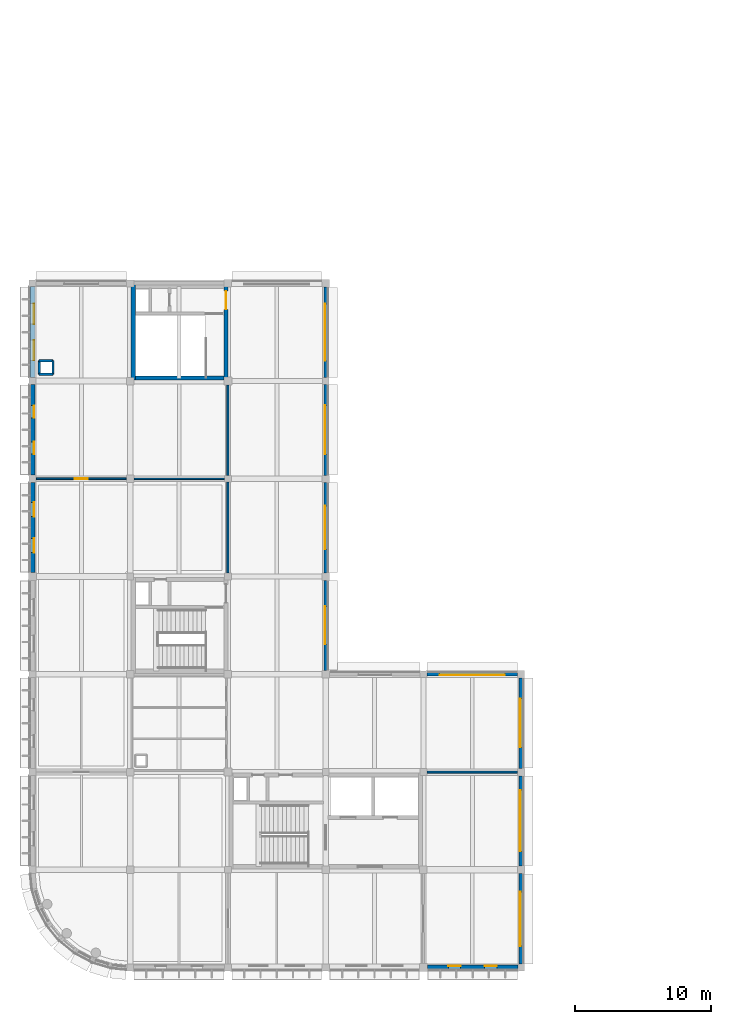
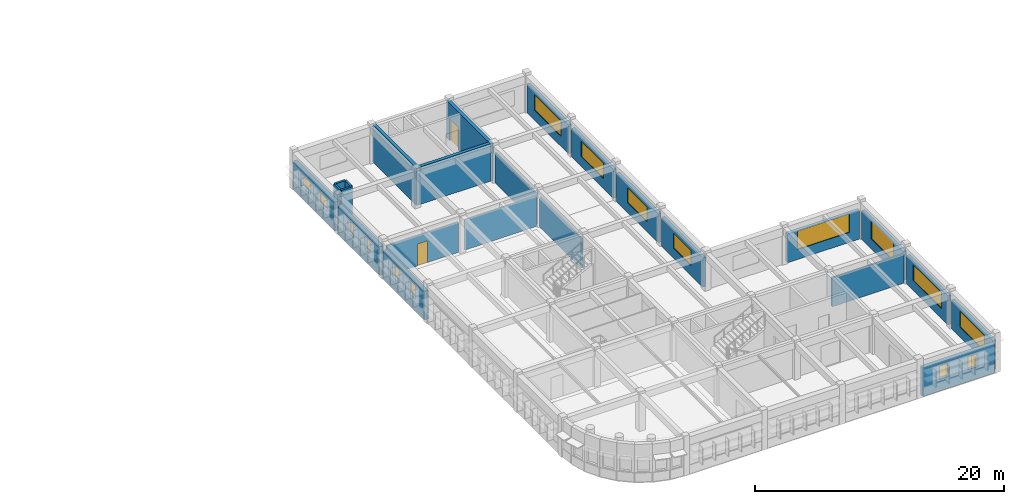
# One storey, part 14 of 19: 24 walls, 16 windows, 2 doors, 18 openings.
"""IFC4 building model written with IfcOpenShell, lengths in metres."""

from ifc_helpers import new_model, si_unit, direction, frame, frame_2d, origin, place, context, subcontext, project, spatial, rectangle, extrude, material, layer, layer_set, type_object, element, fill, save


model = new_model("IFC4")

# Units and contexts
model_context = context("Model", 3, precision=1e-05, world=origin(), true_north=direction((0.0, 1.0)))
body_context = subcontext(model_context, "Body", "Model", "MODEL_VIEW")
ifc_project = project(units=[si_unit("LENGTHUNIT", "METRE"), si_unit("AREAUNIT", "SQUARE_METRE"), si_unit("VOLUMEUNIT", "CUBIC_METRE"), si_unit("PLANEANGLEUNIT", "RADIAN"), si_unit("MASSUNIT", "GRAM", prefix="KILO")], contexts=[model_context])

# Site, building, storey
site_placement = place(None, origin())
site = spatial("IfcSite", under=ifc_project, at=site_placement, CompositionType="ELEMENT")
building_placement = place(site_placement, origin())
building = spatial("IfcBuilding", under=site, at=building_placement, Name="Thalmaran Polytechnic", CompositionType="ELEMENT")
storey_placement = place(building_placement, frame((0.0, 0.0, 26.699951171875)))
storey = spatial("IfcBuildingStorey", under=building, at=storey_placement, Name="L06", CompositionType="ELEMENT", Elevation=26.699951171875)

# Wall, openings, windows
ifc_material_1 = material(Name="Precast concrete C40/50", Category="concrete")
ifc_layer_1 = layer(ifc_material_1, 0.360107421875, Name="Precast concrete C40/50")
ifc_layer_set_1 = layer_set([ifc_layer_1], Name="Precast concrete C40/50")
wall_type_1 = type_object("IfcWallType", Name="WL-EW01", PredefinedType="STANDARD", material=ifc_layer_set_1)
wall_1_placement = place(storey_placement, frame((0.0, 29.090087890625, 0.0), z_axis=(0.0, 0.0, 1.0), x_axis=(0.0, 1.0, 0.0)))
wall_1 = element("IfcWall", 1, at=wall_1_placement, inside=storey, type_object=wall_type_1, Name="Exterior Precast Facade Wall L06-008", PredefinedType="STANDARD", context=body_context, shape_type="SweptSolid", body=[
    extrude(rectangle(XDim=6.635009765625, YDim=0.360107421875, at=frame_2d((3.3173828125, 0.0))), origin(), (0.0, 0.0, 1.0), 2.830078125),
])
opening_1_placement = place(wall_1_placement, frame((1.465576171875, 0.0, 1.14990234375)))
opening_1 = element("IfcOpeningElement", 2, at=opening_1_placement, cuts=wall_1, Name="Opening PW12", PredefinedType="OPENING", context=body_context, shape_type="SweptSolid", body=[
    extrude(rectangle(XDim=1.050048828125, YDim=1.35009765625, at=frame_2d((0.52490234375, 0.675048828125))), frame((0.0, 0.18994140625, 0.0), z_axis=(0.0, -1.0, 0.0), x_axis=(1.0, 0.0, 0.0)), (0.0, 0.0, 1.0), 0.380126953125),
])
opening_2_placement = place(wall_1_placement, frame((4.119384765625, 0.0, 1.14990234375)))
opening_2 = element("IfcOpeningElement", 3, at=opening_2_placement, cuts=wall_1, Name="Opening PW12", PredefinedType="OPENING", context=body_context, shape_type="SweptSolid", body=[
    extrude(rectangle(XDim=1.050048828125, YDim=1.35009765625, at=frame_2d((0.52490234375, 0.675048828125))), frame((0.0, 0.18994140625, 0.0), z_axis=(0.0, -1.0, 0.0), x_axis=(1.0, 0.0, 0.0)), (0.0, 0.0, 1.0), 0.380126953125),
])
ifc_material_2 = material(Name="Thermally broken aluminium and double low-E glass", Category="aluminium")
window_type_1 = type_object("IfcWindowType", Name="WN-PW02", PartitioningType="SINGLE_PANEL", PredefinedType="WINDOW", material=ifc_material_2)
window_1_placement = place(opening_1_placement, origin())
window_1 = element("IfcWindow", 4, at=window_1_placement, inside=storey, type_object=window_type_1, Name="Deep-Set Solar-Screened Window W-0735", OverallHeight=1.35009765625, OverallWidth=1.050048828125, PartitioningType="SINGLE_PANEL", PredefinedType="WINDOW", context=body_context, shape_type="SweptSolid", body=[
    extrude(rectangle(XDim=1.050048828125, YDim=1.35009765625, at=frame_2d((0.52490234375, 0.675048828125))), frame((0.0, -0.080078125, 0.0), z_axis=(0.0, -1.0, 0.0), x_axis=(1.0, 0.0, 0.0)), (0.0, 0.0, 1.0), 0.06005859375),
])
fill(opening_1, window_1)
window_2_placement = place(opening_2_placement, origin())
window_2 = element("IfcWindow", 5, at=window_2_placement, inside=storey, type_object=window_type_1, Name="Deep-Set Solar-Screened Window W-0736", OverallHeight=1.35009765625, OverallWidth=1.050048828125, PartitioningType="SINGLE_PANEL", PredefinedType="WINDOW", context=body_context, shape_type="SweptSolid", body=[
    extrude(rectangle(XDim=1.050048828125, YDim=1.35009765625, at=frame_2d((0.52490234375, 0.675048828125))), frame((0.0, -0.080078125, 0.0), z_axis=(0.0, -1.0, 0.0), x_axis=(1.0, 0.0, 0.0)), (0.0, 0.0, 1.0), 0.06005859375),
])
fill(opening_2, window_2)

wall_2_placement = place(storey_placement, frame((0.0, 36.27490234375, 0.0), z_axis=(0.0, 0.0, 1.0), x_axis=(0.0, 1.0, 0.0)))
wall_2 = element("IfcWall", 6, at=wall_2_placement, inside=storey, type_object=wall_type_1, Name="Exterior Precast Facade Wall L06-009", PredefinedType="STANDARD", context=body_context, shape_type="SweptSolid", body=[
    extrude(rectangle(XDim=6.6650390625, YDim=0.360107421875, at=frame_2d((3.33251953125, 0.0))), origin(), (0.0, 0.0, 1.0), 2.830078125),
])
opening_3_placement = place(wall_2_placement, frame((1.549560546875, 0.0, 1.14990234375)))
opening_3 = element("IfcOpeningElement", 7, at=opening_3_placement, cuts=wall_2, Name="Opening PW13", PredefinedType="OPENING", context=body_context, shape_type="SweptSolid", body=[
    extrude(rectangle(XDim=0.89990234375, YDim=1.300048828125, at=frame_2d((0.449951171875, 0.64990234375))), frame((0.0, 0.18994140625, 0.0), z_axis=(0.0, -1.0, 0.0), x_axis=(1.0, 0.0, 0.0)), (0.0, 0.0, 1.0), 0.380126953125),
])
opening_4_placement = place(wall_2_placement, frame((4.215576171875, 0.0, 1.14990234375)))
opening_4 = element("IfcOpeningElement", 8, at=opening_4_placement, cuts=wall_2, Name="Opening PW13", PredefinedType="OPENING", context=body_context, shape_type="SweptSolid", body=[
    extrude(rectangle(XDim=0.89990234375, YDim=1.300048828125, at=frame_2d((0.449951171875, 0.64990234375))), frame((0.0, 0.18994140625, 0.0), z_axis=(0.0, -1.0, 0.0), x_axis=(1.0, 0.0, 0.0)), (0.0, 0.0, 1.0), 0.380126953125),
])
window_type_2 = type_object("IfcWindowType", Name="WN-PW03", PartitioningType="SINGLE_PANEL", PredefinedType="WINDOW", material=ifc_material_2)
window_3_placement = place(opening_3_placement, origin())
window_3 = element("IfcWindow", 9, at=window_3_placement, inside=storey, type_object=window_type_2, Name="Deep-Set Solar-Screened Window W-0737", OverallHeight=1.300048828125, OverallWidth=0.89990234375, PartitioningType="SINGLE_PANEL", PredefinedType="WINDOW", context=body_context, shape_type="SweptSolid", body=[
    extrude(rectangle(XDim=0.89990234375, YDim=1.300048828125, at=frame_2d((0.449951171875, 0.64990234375))), frame((0.0, -0.080078125, 0.0), z_axis=(0.0, -1.0, 0.0), x_axis=(1.0, 0.0, 0.0)), (0.0, 0.0, 1.0), 0.06005859375),
])
fill(opening_3, window_3)
window_4_placement = place(opening_4_placement, origin())
window_4 = element("IfcWindow", 10, at=window_4_placement, inside=storey, type_object=window_type_2, Name="Deep-Set Solar-Screened Window W-0738", OverallHeight=1.300048828125, OverallWidth=0.89990234375, PartitioningType="SINGLE_PANEL", PredefinedType="WINDOW", context=body_context, shape_type="SweptSolid", body=[
    extrude(rectangle(XDim=0.89990234375, YDim=1.300048828125, at=frame_2d((0.449951171875, 0.64990234375))), frame((0.0, -0.080078125, 0.0), z_axis=(0.0, -1.0, 0.0), x_axis=(1.0, 0.0, 0.0)), (0.0, 0.0, 1.0), 0.06005859375),
])
fill(opening_4, window_4)

wall_3_placement = place(storey_placement, frame((0.0, 43.4599609375, 0.0), z_axis=(0.0, 0.0, 1.0), x_axis=(0.0, 1.0, 0.0)))
wall_3 = element("IfcWall", 11, at=wall_3_placement, inside=storey, type_object=wall_type_1, Name="Exterior Precast Facade Wall L06-010", PredefinedType="STANDARD", context=body_context, shape_type="SweptSolid", body=[
    extrude(rectangle(XDim=6.68994140625, YDim=0.360107421875, at=frame_2d((3.344970703125, 0.0))), origin(), (0.0, 0.0, 1.0), 2.830078125),
])
opening_5_placement = place(wall_3_placement, frame((1.257080078125, 0.0, 1.14990234375)))
opening_5 = element("IfcOpeningElement", 12, at=opening_5_placement, cuts=wall_3, Name="Opening PW14", PredefinedType="OPENING", context=body_context, shape_type="SweptSolid", body=[
    extrude(rectangle(XDim=1.5, YDim=1.199951171875, at=frame_2d((0.75, 0.60009765625))), frame((0.0, 0.18994140625, 0.0), z_axis=(0.0, -1.0, 0.0), x_axis=(1.0, 0.0, 0.0)), (0.0, 0.0, 1.0), 0.380126953125),
])
opening_6_placement = place(wall_3_placement, frame((3.93310546875, 0.0, 1.14990234375)))
opening_6 = element("IfcOpeningElement", 13, at=opening_6_placement, cuts=wall_3, Name="Opening PW14", PredefinedType="OPENING", context=body_context, shape_type="SweptSolid", body=[
    extrude(rectangle(XDim=1.5, YDim=1.199951171875, at=frame_2d((0.75, 0.60009765625))), frame((0.0, 0.18994140625, 0.0), z_axis=(0.0, -1.0, 0.0), x_axis=(1.0, 0.0, 0.0)), (0.0, 0.0, 1.0), 0.380126953125),
])
window_type_3 = type_object("IfcWindowType", Name="WN-PW04", PartitioningType="DOUBLE_PANEL_VERTICAL", PredefinedType="WINDOW", material=ifc_material_2)
window_5_placement = place(opening_5_placement, origin())
window_5 = element("IfcWindow", 14, at=window_5_placement, inside=storey, type_object=window_type_3, Name="Deep-Set Solar-Screened Window W-0739", OverallHeight=1.199951171875, OverallWidth=1.5, PartitioningType="SINGLE_PANEL", PredefinedType="WINDOW", context=body_context, shape_type="SweptSolid", body=[
    extrude(rectangle(XDim=1.5, YDim=1.199951171875, at=frame_2d((0.75, 0.60009765625))), frame((0.0, -0.080078125, 0.0), z_axis=(0.0, -1.0, 0.0), x_axis=(1.0, 0.0, 0.0)), (0.0, 0.0, 1.0), 0.06005859375),
])
fill(opening_5, window_5)
window_6_placement = place(opening_6_placement, origin())
window_6 = element("IfcWindow", 15, at=window_6_placement, inside=storey, type_object=window_type_3, Name="Deep-Set Solar-Screened Window W-0740", OverallHeight=1.199951171875, OverallWidth=1.5, PartitioningType="SINGLE_PANEL", PredefinedType="WINDOW", context=body_context, shape_type="SweptSolid", body=[
    extrude(rectangle(XDim=1.5, YDim=1.199951171875, at=frame_2d((0.75, 0.60009765625))), frame((0.0, -0.080078125, 0.0), z_axis=(0.0, -1.0, 0.0), x_axis=(1.0, 0.0, 0.0)), (0.0, 0.0, 1.0), 0.06005859375),
])
fill(opening_6, window_6)

wall_4_placement = place(storey_placement, frame((35.75, 0.0, 0.0), z_axis=(0.0, 0.0, 1.0), x_axis=(-1.0, 0.0, 0.0)))
wall_4 = element("IfcWall", 16, at=wall_4_placement, inside=storey, type_object=wall_type_1, Name="Exterior Precast Facade Wall L06-023", PredefinedType="STANDARD", context=body_context, shape_type="SweptSolid", body=[
    extrude(rectangle(XDim=6.659912109375, YDim=0.360107421875, at=frame_2d((3.330078125, 0.0))), origin(), (0.0, 0.0, 1.0), 2.830078125),
])
opening_7_placement = place(wall_4_placement, frame((1.548095703125, 0.0, 1.14990234375)))
opening_7 = element("IfcOpeningElement", 17, at=opening_7_placement, cuts=wall_4, Name="Opening PW13", PredefinedType="OPENING", context=body_context, shape_type="SweptSolid", body=[
    extrude(rectangle(XDim=0.89990234375, YDim=1.300048828125, at=frame_2d((0.449951171875, 0.64990234375))), frame((0.0, 0.18994140625, 0.0), z_axis=(0.0, -1.0, 0.0), x_axis=(1.0, 0.0, 0.0)), (0.0, 0.0, 1.0), 0.380126953125),
])
opening_8_placement = place(wall_4_placement, frame((4.2119140625, 0.0, 1.14990234375)))
opening_8 = element("IfcOpeningElement", 18, at=opening_8_placement, cuts=wall_4, Name="Opening PW13", PredefinedType="OPENING", context=body_context, shape_type="SweptSolid", body=[
    extrude(rectangle(XDim=0.89990234375, YDim=1.300048828125, at=frame_2d((0.449951171875, 0.64990234375))), frame((0.0, 0.18994140625, 0.0), z_axis=(0.0, -1.0, 0.0), x_axis=(1.0, 0.0, 0.0)), (0.0, 0.0, 1.0), 0.380126953125),
])
window_7_placement = place(opening_7_placement, origin())
window_7 = element("IfcWindow", 19, at=window_7_placement, inside=storey, type_object=window_type_2, Name="Deep-Set Solar-Screened Window W-0752", OverallHeight=1.300048828125, OverallWidth=0.89990234375, PartitioningType="SINGLE_PANEL", PredefinedType="WINDOW", context=body_context, shape_type="SweptSolid", body=[
    extrude(rectangle(XDim=0.89990234375, YDim=1.300048828125, at=frame_2d((0.449951171875, 0.64990234375))), frame((0.0, -0.080078125, 0.0), z_axis=(0.0, -1.0, 0.0), x_axis=(1.0, 0.0, 0.0)), (0.0, 0.0, 1.0), 0.06005859375),
])
fill(opening_7, window_7)
window_8_placement = place(opening_8_placement, origin())
window_8 = element("IfcWindow", 20, at=window_8_placement, inside=storey, type_object=window_type_2, Name="Deep-Set Solar-Screened Window W-0753", OverallHeight=1.300048828125, OverallWidth=0.89990234375, PartitioningType="SINGLE_PANEL", PredefinedType="WINDOW", context=body_context, shape_type="SweptSolid", body=[
    extrude(rectangle(XDim=0.89990234375, YDim=1.300048828125, at=frame_2d((0.449951171875, 0.64990234375))), frame((0.0, -0.080078125, 0.0), z_axis=(0.0, -1.0, 0.0), x_axis=(1.0, 0.0, 0.0)), (0.0, 0.0, 1.0), 0.06005859375),
])
fill(opening_8, window_8)

# Wall, opening, window
ifc_layer_2 = layer(ifc_material_1, 0.2900390625, Name="Precast concrete C40/50")
ifc_layer_set_2 = layer_set([ifc_layer_2], Name="Precast concrete C40/50")
wall_type_2 = type_object("IfcWallType", Name="WL-EW04", PredefinedType="STANDARD", material=ifc_layer_set_2)
wall_5_placement = place(storey_placement, frame((21.60009765625, 50.110107421875, 0.0), z_axis=(0.0, 0.0, 1.0), x_axis=(0.0, -1.0, 0.0)))
wall_5 = element("IfcWall", 21, at=wall_5_placement, inside=storey, type_object=wall_type_2, Name="Exterior Precast Facade Wall L06-014", PredefinedType="STANDARD", context=body_context, shape_type="SweptSolid", body=[
    extrude(rectangle(XDim=6.66015625, YDim=0.2900390625, at=frame_2d((3.330078125, 0.0))), origin(), (0.0, 0.0, 1.0), 2.830078125),
])
opening_9_placement = place(wall_5_placement, frame((1.22998046875, 0.0, 0.97998046875)))
opening_9 = element("IfcOpeningElement", 22, at=opening_9_placement, cuts=wall_5, Name="Opening RW02", PredefinedType="OPENING", context=body_context, shape_type="SweptSolid", body=[
    extrude(rectangle(XDim=4.199951171875, YDim=1.5, at=frame_2d((2.10009765625, 0.75))), frame((0.0, 0.155029296875, 0.0), z_axis=(0.0, -1.0, 0.0), x_axis=(1.0, 0.0, 0.0)), (0.0, 0.0, 1.0), 0.31005859375),
])
window_type_4 = type_object("IfcWindowType", Name="WN-RW02", PartitioningType="TRIPLE_PANEL_HORIZONTAL", PredefinedType="WINDOW", material=ifc_material_2)
window_9_placement = place(opening_9_placement, origin())
window_9 = element("IfcWindow", 23, at=window_9_placement, inside=storey, type_object=window_type_4, Name="Streamline Ribbon Window W-0743", OverallHeight=1.5, OverallWidth=4.199951171875, PartitioningType="SINGLE_PANEL", PredefinedType="WINDOW", context=body_context, shape_type="SweptSolid", body=[
    extrude(rectangle(XDim=4.199951171875, YDim=1.5, at=frame_2d((2.10009765625, 0.75))), frame((0.0, -0.030029296875, 0.0), z_axis=(0.0, -1.0, 0.0), x_axis=(1.0, 0.0, 0.0)), (0.0, 0.0, 1.0), 0.06005859375),
])
fill(opening_9, window_9)

wall_6_placement = place(storey_placement, frame((21.60009765625, 42.949951171875, 0.0), z_axis=(0.0, 0.0, 1.0), x_axis=(0.0, -1.0, 0.0)))
wall_6 = element("IfcWall", 24, at=wall_6_placement, inside=storey, type_object=wall_type_2, Name="Exterior Precast Facade Wall L06-015", PredefinedType="STANDARD", context=body_context, shape_type="SweptSolid", body=[
    extrude(rectangle(XDim=6.68994140625, YDim=0.2900390625, at=frame_2d((3.344970703125, 0.0))), origin(), (0.0, 0.0, 1.0), 2.830078125),
])
opening_10_placement = place(wall_6_placement, frame((1.544921875, 0.0, 0.97998046875)))
opening_10 = element("IfcOpeningElement", 25, at=opening_10_placement, cuts=wall_6, Name="Opening RW03", PredefinedType="OPENING", context=body_context, shape_type="SweptSolid", body=[
    extrude(rectangle(XDim=3.60009765625, YDim=1.5, at=frame_2d((1.800048828125, 0.75))), frame((0.0, 0.155029296875, 0.0), z_axis=(0.0, -1.0, 0.0), x_axis=(1.0, 0.0, 0.0)), (0.0, 0.0, 1.0), 0.31005859375),
])
window_type_5 = type_object("IfcWindowType", Name="WN-RW03", PartitioningType="DOUBLE_PANEL_VERTICAL", PredefinedType="WINDOW", material=ifc_material_2)
window_10_placement = place(opening_10_placement, origin())
window_10 = element("IfcWindow", 26, at=window_10_placement, inside=storey, type_object=window_type_5, Name="Streamline Ribbon Window W-0744", OverallHeight=1.5, OverallWidth=3.60009765625, PartitioningType="SINGLE_PANEL", PredefinedType="WINDOW", context=body_context, shape_type="SweptSolid", body=[
    extrude(rectangle(XDim=3.60009765625, YDim=1.5, at=frame_2d((1.800048828125, 0.75))), frame((0.0, -0.030029296875, 0.0), z_axis=(0.0, -1.0, 0.0), x_axis=(1.0, 0.0, 0.0)), (0.0, 0.0, 1.0), 0.06005859375),
])
fill(opening_10, window_10)

wall_7_placement = place(storey_placement, frame((21.60009765625, 35.739990234375, 0.0), z_axis=(0.0, 0.0, 1.0), x_axis=(0.0, -1.0, 0.0)))
wall_7 = element("IfcWall", 27, at=wall_7_placement, inside=storey, type_object=wall_type_2, Name="Exterior Precast Facade Wall L06-016", PredefinedType="STANDARD", context=body_context, shape_type="SweptSolid", body=[
    extrude(rectangle(XDim=6.6650390625, YDim=0.2900390625, at=frame_2d((3.33251953125, 0.0))), origin(), (0.0, 0.0, 1.0), 2.830078125),
])
opening_11_placement = place(wall_7_placement, frame((1.732421875, 0.0, 0.97998046875)))
opening_11 = element("IfcOpeningElement", 28, at=opening_11_placement, cuts=wall_7, Name="Opening RW04", PredefinedType="OPENING", context=body_context, shape_type="SweptSolid", body=[
    extrude(rectangle(XDim=3.199951171875, YDim=1.449951171875, at=frame_2d((1.60009765625, 0.72509765625))), frame((0.0, 0.155029296875, 0.0), z_axis=(0.0, -1.0, 0.0), x_axis=(1.0, 0.0, 0.0)), (0.0, 0.0, 1.0), 0.31005859375),
])
window_type_6 = type_object("IfcWindowType", Name="WN-RW04", PartitioningType="DOUBLE_PANEL_VERTICAL", PredefinedType="WINDOW", material=ifc_material_2)
window_11_placement = place(opening_11_placement, origin())
window_11 = element("IfcWindow", 29, at=window_11_placement, inside=storey, type_object=window_type_6, Name="Streamline Ribbon Window W-0745", OverallHeight=1.449951171875, OverallWidth=3.199951171875, PartitioningType="SINGLE_PANEL", PredefinedType="WINDOW", context=body_context, shape_type="SweptSolid", body=[
    extrude(rectangle(XDim=3.199951171875, YDim=1.449951171875, at=frame_2d((1.60009765625, 0.72509765625))), frame((0.0, -0.030029296875, 0.0), z_axis=(0.0, -1.0, 0.0), x_axis=(1.0, 0.0, 0.0)), (0.0, 0.0, 1.0), 0.06005859375),
])
fill(opening_11, window_11)

wall_8_placement = place(storey_placement, frame((21.60009765625, 28.52490234375, 0.0), z_axis=(0.0, 0.0, 1.0), x_axis=(0.0, -1.0, 0.0)))
wall_8 = element("IfcWall", 30, at=wall_8_placement, inside=storey, type_object=wall_type_2, Name="Exterior Precast Facade Wall L06-017", PredefinedType="STANDARD", context=body_context, shape_type="SweptSolid", body=[
    extrude(rectangle(XDim=6.635009765625, YDim=0.2900390625, at=frame_2d((3.3173828125, 0.0))), origin(), (0.0, 0.0, 1.0), 2.864990234375),
])
opening_12_placement = place(wall_8_placement, frame((1.91748046875, 0.0, 0.97998046875)))
opening_12 = element("IfcOpeningElement", 31, at=opening_12_placement, cuts=wall_8, Name="Opening RW05", PredefinedType="OPENING", context=body_context, shape_type="SweptSolid", body=[
    extrude(rectangle(XDim=2.800048828125, YDim=1.449951171875, at=frame_2d((1.39990234375, 0.72509765625))), frame((0.0, 0.155029296875, 0.0), z_axis=(0.0, -1.0, 0.0), x_axis=(1.0, 0.0, 0.0)), (0.0, 0.0, 1.0), 0.31005859375),
])
window_type_7 = type_object("IfcWindowType", Name="WN-RW05", PartitioningType="DOUBLE_PANEL_VERTICAL", PredefinedType="WINDOW", material=ifc_material_2)
window_12_placement = place(opening_12_placement, origin())
window_12 = element("IfcWindow", 32, at=window_12_placement, inside=storey, type_object=window_type_7, Name="Streamline Ribbon Window W-0746", OverallHeight=1.449951171875, OverallWidth=2.800048828125, PartitioningType="SINGLE_PANEL", PredefinedType="WINDOW", context=body_context, shape_type="SweptSolid", body=[
    extrude(rectangle(XDim=2.800048828125, YDim=1.449951171875, at=frame_2d((1.39990234375, 0.72509765625))), frame((0.0, -0.030029296875, 0.0), z_axis=(0.0, -1.0, 0.0), x_axis=(1.0, 0.0, 0.0)), (0.0, 0.0, 1.0), 0.06005859375),
])
fill(opening_12, window_12)

wall_9_placement = place(storey_placement, frame((29.050048828125, 21.60009765625, 0.0), z_axis=(0.0, 0.0, 1.0), x_axis=(1.0, 0.0, 0.0)))
wall_9 = element("IfcWall", 33, at=wall_9_placement, inside=storey, type_object=wall_type_2, Name="Exterior Precast Facade Wall L06-019", PredefinedType="STANDARD", context=body_context, shape_type="SweptSolid", body=[
    extrude(rectangle(XDim=6.68994140625, YDim=0.2900390625, at=frame_2d((3.344970703125, 0.0))), origin(), (0.0, 0.0, 1.0), 2.830078125),
])
opening_13_placement = place(wall_9_placement, frame((0.945068359375, 0.0, 0.97998046875)))
opening_13 = element("IfcOpeningElement", 34, at=opening_13_placement, cuts=wall_9, Name="Opening RW07", PredefinedType="OPENING", context=body_context, shape_type="SweptSolid", body=[
    extrude(rectangle(XDim=4.800048828125, YDim=1.800048828125, at=frame_2d((2.39990234375, 0.89990234375))), frame((0.0, 0.155029296875, 0.0), z_axis=(0.0, -1.0, 0.0), x_axis=(1.0, 0.0, 0.0)), (0.0, 0.0, 1.0), 0.31005859375),
])
window_type_8 = type_object("IfcWindowType", Name="WN-RW07", PartitioningType="TRIPLE_PANEL_HORIZONTAL", PredefinedType="WINDOW", material=ifc_material_2)
window_13_placement = place(opening_13_placement, origin())
window_13 = element("IfcWindow", 35, at=window_13_placement, inside=storey, type_object=window_type_8, Name="Streamline Ribbon Window W-0748", OverallHeight=1.800048828125, OverallWidth=4.800048828125, PartitioningType="SINGLE_PANEL", PredefinedType="WINDOW", context=body_context, shape_type="SweptSolid", body=[
    extrude(rectangle(XDim=4.800048828125, YDim=1.800048828125, at=frame_2d((2.39990234375, 0.89990234375))), frame((0.0, -0.030029296875, 0.0), z_axis=(0.0, -1.0, 0.0), x_axis=(1.0, 0.0, 0.0)), (0.0, 0.0, 1.0), 0.06005859375),
])
fill(opening_13, window_13)

wall_10_placement = place(storey_placement, frame((36.0, 21.340087890625, 0.0), z_axis=(0.0, 0.0, 1.0), x_axis=(0.0, -1.0, 0.0)))
wall_10 = element("IfcWall", 36, at=wall_10_placement, inside=storey, type_object=wall_type_2, Name="Exterior Precast Facade Wall L06-020", PredefinedType="STANDARD", context=body_context, shape_type="SweptSolid", body=[
    extrude(rectangle(XDim=6.6650390625, YDim=0.2900390625, at=frame_2d((3.33251953125, 0.0))), origin(), (0.0, 0.0, 1.0), 2.830078125),
])
opening_14_placement = place(wall_10_placement, frame((1.532470703125, 0.0, 0.97998046875)))
opening_14 = element("IfcOpeningElement", 37, at=opening_14_placement, cuts=wall_10, Name="Opening RW08", PredefinedType="OPENING", context=body_context, shape_type="SweptSolid", body=[
    extrude(rectangle(XDim=3.60009765625, YDim=1.800048828125, at=frame_2d((1.800048828125, 0.89990234375))), frame((0.0, 0.155029296875, 0.0), z_axis=(0.0, -1.0, 0.0), x_axis=(1.0, 0.0, 0.0)), (0.0, 0.0, 1.0), 0.31005859375),
])
window_type_9 = type_object("IfcWindowType", Name="WN-RW08", PartitioningType="DOUBLE_PANEL_VERTICAL", PredefinedType="WINDOW", material=ifc_material_2)
window_14_placement = place(opening_14_placement, origin())
window_14 = element("IfcWindow", 38, at=window_14_placement, inside=storey, type_object=window_type_9, Name="Streamline Ribbon Window W-0749", OverallHeight=1.800048828125, OverallWidth=3.60009765625, PartitioningType="SINGLE_PANEL", PredefinedType="WINDOW", context=body_context, shape_type="SweptSolid", body=[
    extrude(rectangle(XDim=3.60009765625, YDim=1.800048828125, at=frame_2d((1.800048828125, 0.89990234375))), frame((0.0, -0.030029296875, 0.0), z_axis=(0.0, -1.0, 0.0), x_axis=(1.0, 0.0, 0.0)), (0.0, 0.0, 1.0), 0.06005859375),
])
fill(opening_14, window_14)

wall_11_placement = place(storey_placement, frame((36.0, 14.125, 0.0), z_axis=(0.0, 0.0, 1.0), x_axis=(0.0, -1.0, 0.0)))
wall_11 = element("IfcWall", 39, at=wall_11_placement, inside=storey, type_object=wall_type_2, Name="Exterior Precast Facade Wall L06-021", PredefinedType="STANDARD", context=body_context, shape_type="SweptSolid", body=[
    extrude(rectangle(XDim=6.635009765625, YDim=0.2900390625, at=frame_2d((3.3173828125, 0.0))), origin(), (0.0, 0.0, 1.0), 2.830078125),
])
opening_15_placement = place(wall_11_placement, frame((1.0673828125, 0.0, 0.97998046875)))
opening_15 = element("IfcOpeningElement", 40, at=opening_15_placement, cuts=wall_11, Name="Opening VW01", PredefinedType="OPENING", context=body_context, shape_type="SweptSolid", body=[
    extrude(rectangle(XDim=4.5, YDim=1.550048828125, at=frame_2d((2.25, 0.77490234375))), frame((0.0, 0.155029296875, 0.0), z_axis=(0.0, -1.0, 0.0), x_axis=(1.0, 0.0, 0.0)), (0.0, 0.0, 1.0), 0.31005859375),
])
window_type_10 = type_object("IfcWindowType", Name="WN-VZ01", PartitioningType="TRIPLE_PANEL_HORIZONTAL", PredefinedType="WINDOW", material=ifc_material_2)
window_15_placement = place(opening_15_placement, origin())
window_15 = element("IfcWindow", 41, at=window_15_placement, inside=storey, type_object=window_type_10, Name="Streamline Ribbon Window W-0750", OverallHeight=1.550048828125, OverallWidth=4.5, PartitioningType="SINGLE_PANEL", PredefinedType="WINDOW", context=body_context, shape_type="SweptSolid", body=[
    extrude(rectangle(XDim=4.5, YDim=1.550048828125, at=frame_2d((2.25, 0.77490234375))), frame((0.0, -0.030029296875, 0.0), z_axis=(0.0, -1.0, 0.0), x_axis=(1.0, 0.0, 0.0)), (0.0, 0.0, 1.0), 0.06005859375),
])
fill(opening_15, window_15)

wall_12_placement = place(storey_placement, frame((36.0, 6.909912109375, 0.0), z_axis=(0.0, 0.0, 1.0), x_axis=(0.0, -1.0, 0.0)))
wall_12 = element("IfcWall", 42, at=wall_12_placement, inside=storey, type_object=wall_type_2, Name="Exterior Precast Facade Wall L06-022", PredefinedType="STANDARD", context=body_context, shape_type="SweptSolid", body=[
    extrude(rectangle(XDim=6.659912109375, YDim=0.2900390625, at=frame_2d((3.330078125, 0.0))), origin(), (0.0, 0.0, 1.0), 2.830078125),
])
opening_16_placement = place(wall_12_placement, frame((1.330078125, 0.0, 0.97998046875)))
opening_16 = element("IfcOpeningElement", 43, at=opening_16_placement, cuts=wall_12, Name="Opening VW02", PredefinedType="OPENING", context=body_context, shape_type="SweptSolid", body=[
    extrude(rectangle(XDim=4.0, YDim=1.550048828125, at=frame_2d((2.0, 0.77490234375))), frame((0.0, 0.155029296875, 0.0), z_axis=(0.0, -1.0, 0.0), x_axis=(1.0, 0.0, 0.0)), (0.0, 0.0, 1.0), 0.31005859375),
])
window_type_11 = type_object("IfcWindowType", Name="WN-VZ02", PartitioningType="TRIPLE_PANEL_HORIZONTAL", PredefinedType="WINDOW", material=ifc_material_2)
window_16_placement = place(opening_16_placement, origin())
window_16 = element("IfcWindow", 44, at=window_16_placement, inside=storey, type_object=window_type_11, Name="Streamline Ribbon Window W-0751", OverallHeight=1.550048828125, OverallWidth=4.0, PartitioningType="SINGLE_PANEL", PredefinedType="WINDOW", context=body_context, shape_type="SweptSolid", body=[
    extrude(rectangle(XDim=4.0, YDim=1.550048828125, at=frame_2d((2.0, 0.77490234375))), frame((0.0, -0.030029296875, 0.0), z_axis=(0.0, -1.0, 0.0), x_axis=(1.0, 0.0, 0.0)), (0.0, 0.0, 1.0), 0.06005859375),
])
fill(opening_16, window_16)

# Walls
ifc_material_3 = material(Name="Autoclaved aerated masonry", Category="masonry")
ifc_layer_3 = layer(ifc_material_3, 0.179931640625, Name="Autoclaved aerated masonry")
ifc_layer_set_3 = layer_set([ifc_layer_3], Name="Autoclaved aerated masonry")
wall_type_3 = type_object("IfcWallType", Name="WL-IW04", PredefinedType="PARTITIONING", material=ifc_layer_set_3)
for number, where, z_axis, x_axis, name in (
    (45, (0.489990234375, 43.68994140625, 0.0), (0.0, 0.0, 1.0), (1.0, 0.0, 0.0), "Fume Exhaust Riser Shaft Wall L06 (0,6)-S"),
    (46, (1.510009765625, 43.68994140625, 0.0), (0.0, 0.0, 1.0), (0.0, 1.0, 0.0), "Fume Exhaust Riser Shaft Wall L06 (0,6)-E"),
    (47, (1.510009765625, 44.7099609375, 0.0), (0.0, 0.0, 1.0), (-1.0, 0.0, 0.0), "Fume Exhaust Riser Shaft Wall L06 (0,6)-N"),
    (48, (0.489990234375, 44.7099609375, 0.0), (0.0, 0.0, 1.0), (0.0, -1.0, 0.0), "Fume Exhaust Riser Shaft Wall L06 (0,6)-W"),
):
    element("IfcWall", number, at=place(storey_placement, frame(where, z_axis=z_axis, x_axis=x_axis)), inside=storey, type_object=wall_type_3, Name=name, PredefinedType="PARTITIONING", context=body_context, shape_type="SweptSolid", body=[
        extrude(rectangle(XDim=1.02001953125, YDim=0.179931640625, at=frame_2d((0.510009765625, 0.0))), origin(), (0.0, 0.0, 1.0), 3.670166015625),
    ])
ifc_material_4 = material(Name="Gypsum acoustic partition")
ifc_layer_4 = layer(ifc_material_4, 0.14501953125, Name="Gypsum acoustic partition")
ifc_layer_set_4 = layer_set([ifc_layer_4], Name="Gypsum acoustic partition")
wall_type_4 = type_object("IfcWallType", Name="WL-IW06", PredefinedType="PARTITIONING", material=ifc_layer_set_4)
wall_13_placement = place(storey_placement, frame((14.39990234375, 29.06494140625, 0.0), z_axis=(0.0, 0.0, 1.0), x_axis=(0.0, 1.0, 0.0)))
element("IfcWall", 49, at=wall_13_placement, inside=storey, type_object=wall_type_4, Name="Interior Partition IW06 L06-004", PredefinedType="PARTITIONING", context=body_context, shape_type="SweptSolid", body=[
    extrude(rectangle(XDim=6.68017578125, YDim=0.14501953125, at=frame_2d((3.340087890625, 0.0))), origin(), (0.0, 0.0, 1.0), 2.945068359375),
])
wall_14_placement = place(storey_placement, frame((14.39990234375, 36.2548828125, 0.0), z_axis=(0.0, 0.0, 1.0), x_axis=(0.0, 1.0, 0.0)))
element("IfcWall", 50, at=wall_14_placement, inside=storey, type_object=wall_type_4, Name="Interior Partition IW06 L06-006", PredefinedType="PARTITIONING", context=body_context, shape_type="SweptSolid", body=[
    extrude(rectangle(XDim=6.650146484375, YDim=0.14501953125, at=frame_2d((3.3251953125, 0.0))), origin(), (0.0, 0.0, 1.0), 2.93994140625),
])
wall_15_placement = place(storey_placement, frame((29.06494140625, 14.39990234375, 0.0), z_axis=(0.0, 0.0, 1.0), x_axis=(1.0, 0.0, 0.0)))
element("IfcWall", 51, at=wall_15_placement, inside=storey, type_object=wall_type_4, Name="Interior Partition IW06 L06-008", PredefinedType="PARTITIONING", context=body_context, shape_type="SweptSolid", body=[
    extrude(rectangle(XDim=6.655029296875, YDim=0.14501953125, at=frame_2d((3.32763671875, 0.0))), origin(), (0.0, 0.0, 1.0), 2.85498046875),
])

# Wall, opening, door
ifc_layer_5 = layer(ifc_material_4, 0.1298828125, Name="Gypsum acoustic partition")
ifc_layer_set_5 = layer_set([ifc_layer_5], Name="Gypsum acoustic partition")
wall_type_5 = type_object("IfcWallType", Name="WL-IW07", PredefinedType="PARTITIONING", material=ifc_layer_set_5)
wall_16_placement = place(storey_placement, frame((0.280029296875, 36.0, 0.0), z_axis=(0.0, 0.0, 1.0), x_axis=(1.0, 0.0, 0.0)))
wall_16 = element("IfcWall", 52, at=wall_16_placement, inside=storey, type_object=wall_type_5, Name="Interior Partition IW07 L06-002", PredefinedType="PARTITIONING", context=body_context, shape_type="SweptSolid", body=[
    extrude(rectangle(XDim=6.625, YDim=0.1298828125, at=frame_2d((3.3125, 0.0))), origin(), (0.0, 0.0, 1.0), 2.97509765625),
])
opening_17_placement = place(wall_16_placement, frame((2.83740234375, 0.0, 0.0)))
opening_17 = element("IfcOpeningElement", 53, at=opening_17_placement, cuts=wall_16, Name="Opening D-L06-003-1-03-1", PredefinedType="OPENING", context=body_context, shape_type="SweptSolid", body=[
    extrude(rectangle(XDim=0.949951171875, YDim=2.14990234375, at=frame_2d((0.47509765625, 1.074951171875))), frame((0.0, 0.074951171875, 0.0), z_axis=(0.0, -1.0, 0.0), x_axis=(1.0, 0.0, 0.0)), (0.0, 0.0, 1.0), 0.14990234375),
])
ifc_material_5 = material(Name="Powder-coated fire-rated steel", Category="steel")
door_type_1 = type_object("IfcDoorType", Name="DR-FD08", OperationType="NOTDEFINED", PredefinedType="DOOR", material=ifc_material_5)
door_1_placement = place(opening_17_placement, origin())
door_1 = element("IfcDoor", 54, at=door_1_placement, inside=storey, type_object=door_type_1, Name="Fluid Mechanics Laboratory L06-03 Door 1", OperationType="SINGLE_SWING_LEFT", OverallHeight=2.14990234375, OverallWidth=0.949951171875, PredefinedType="DOOR", context=body_context, shape_type="SweptSolid", body=[
    extrude(rectangle(XDim=0.949951171875, YDim=2.14990234375, at=frame_2d((0.47509765625, 1.074951171875))), frame((0.0, 0.02490234375, 0.0), z_axis=(0.0, -1.0, 0.0), x_axis=(1.0, 0.0, 0.0)), (0.0, 0.0, 1.0), 0.050048828125),
])
fill(opening_17, door_1)

# Walls
ifc_layer_6 = layer(ifc_material_4, 0.114990234375, Name="Gypsum acoustic partition")
ifc_layer_set_6 = layer_set([ifc_layer_6], Name="Gypsum acoustic partition")
wall_type_6 = type_object("IfcWallType", Name="WL-IW08", PredefinedType="PARTITIONING", material=ifc_layer_set_6)
wall_17_placement = place(storey_placement, frame((7.4951171875, 36.0, 0.0), z_axis=(0.0, 0.0, 1.0), x_axis=(1.0, 0.0, 0.0)))
element("IfcWall", 55, at=wall_17_placement, inside=storey, type_object=wall_type_6, Name="Interior Partition IW08 L06-005", PredefinedType="PARTITIONING", context=body_context, shape_type="SweptSolid", body=[
    extrude(rectangle(XDim=6.64990234375, YDim=0.114990234375, at=frame_2d((3.324951171875, 0.0))), origin(), (0.0, 0.0, 1.0), 2.985107421875),
])
ifc_material_6 = material(Name="Concrete C50/60", Category="concrete")
ifc_layer_7 = layer(ifc_material_6, 0.300048828125, Name="Concrete C50/60")
ifc_layer_set_7 = layer_set([ifc_layer_7], Name="Concrete C50/60")
wall_type_7 = type_object("IfcWallType", Name="WL-SW04", PredefinedType="SHEAR", material=ifc_layer_set_7)
wall_18_placement = place(storey_placement, frame((7.570068359375, 43.419921875, 0.0), z_axis=(0.0, 0.0, 1.0), x_axis=(1.0, 0.0, 0.0)))
element("IfcWall", 56, at=wall_18_placement, inside=storey, type_object=wall_type_7, Name="Core C4 South Shear Wall L06", PredefinedType="SHEAR", context=body_context, shape_type="SweptSolid", body=[
    extrude(rectangle(XDim=6.5400390625, YDim=0.300048828125, at=frame_2d((3.27001953125, 0.0))), origin(), (0.0, 0.0, 1.0), 3.670166015625),
])
wall_19_placement = place(storey_placement, frame((7.419921875, 50.330078125, 0.0), z_axis=(0.0, 0.0, 1.0), x_axis=(0.0, -1.0, 0.0)))
element("IfcWall", 57, at=wall_19_placement, inside=storey, type_object=wall_type_7, Name="Core C4 West Shear Wall L06", PredefinedType="SHEAR", context=body_context, shape_type="SweptSolid", body=[
    extrude(rectangle(XDim=7.06005859375, YDim=0.300048828125, at=frame_2d((3.530029296875, 0.0))), origin(), (0.0, 0.0, 1.0), 3.670166015625),
])

# Wall, opening, door
wall_20_placement = place(storey_placement, frame((14.260009765625, 43.27001953125, 0.0), z_axis=(0.0, 0.0, 1.0), x_axis=(0.0, 1.0, 0.0)))
wall_20 = element("IfcWall", 58, at=wall_20_placement, inside=storey, type_object=wall_type_7, Name="Core C4 East Shear Wall L06", PredefinedType="SHEAR", context=body_context, shape_type="SweptSolid", body=[
    extrude(rectangle(XDim=7.06005859375, YDim=0.300048828125, at=frame_2d((3.530029296875, 0.0))), origin(), (0.0, 0.0, 1.0), 3.670166015625),
])
opening_18_placement = place(wall_20_placement, frame((5.199951171875, 0.0, 0.0)))
opening_18 = element("IfcOpeningElement", 59, at=opening_18_placement, cuts=wall_20, Name="Opening LD-C4-L06", PredefinedType="OPENING", context=body_context, shape_type="SweptSolid", body=[
    extrude(rectangle(XDim=1.35009765625, YDim=2.14990234375, at=frame_2d((0.675048828125, 1.074951171875))), frame((0.0, 0.159912109375, 0.0), z_axis=(0.0, -1.0, 0.0), x_axis=(1.0, 0.0, 0.0)), (0.0, 0.0, 1.0), 0.320068359375),
])
door_type_2 = type_object("IfcDoorType", Name="DR-FD06", OperationType="NOTDEFINED", PredefinedType="DOOR", material=ifc_material_5)
door_2_placement = place(opening_18_placement, origin())
door_2 = element("IfcDoor", 60, at=door_2_placement, inside=storey, type_object=door_type_2, Name="Stair Lobby Fire Door C4 L06", OperationType="SINGLE_SWING_LEFT", OverallHeight=2.14990234375, OverallWidth=1.35009765625, PredefinedType="DOOR", context=body_context, shape_type="SweptSolid", body=[
    extrude(rectangle(XDim=1.35009765625, YDim=2.14990234375, at=frame_2d((0.675048828125, 1.074951171875))), frame((0.0, 0.02490234375, 0.0), z_axis=(0.0, -1.0, 0.0), x_axis=(1.0, 0.0, 0.0)), (0.0, 0.0, 1.0), 0.050048828125),
])
fill(opening_18, door_2)

save(model, "model.ifc")
